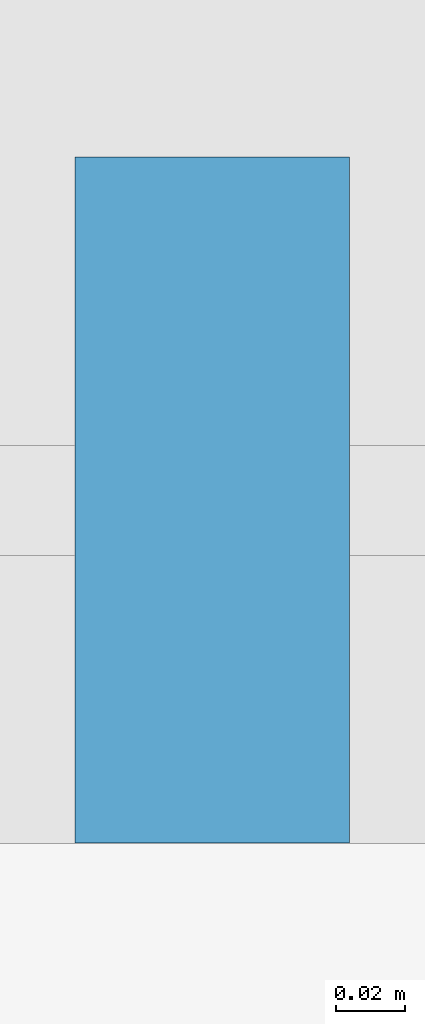
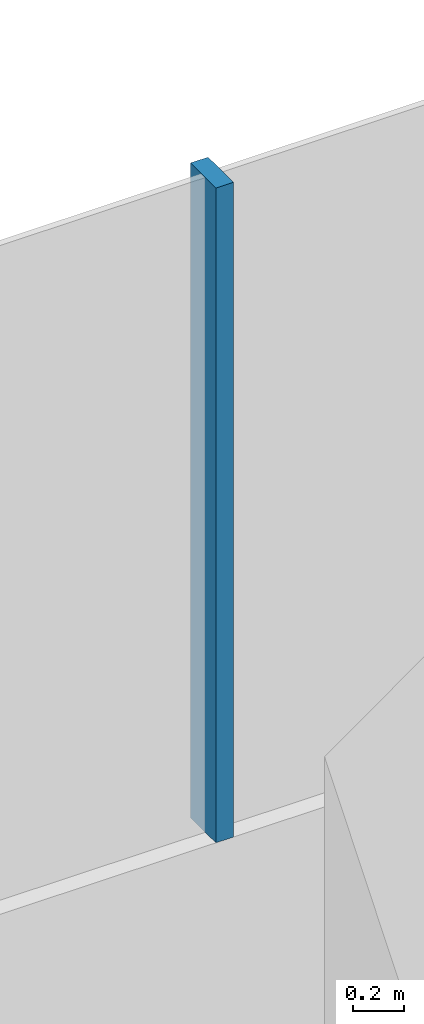
# One storey, part 16 of 38: 1 member, 1 element without a shape of its own.
"""IFC4 building model written with IfcOpenShell, lengths in metres."""

import ifcopenshell
import ifcopenshell.guid

model = None  # the IFC model being written
_history = None  # IfcOwnerHistory: only IFC2X3 demands one
_inside = {}  # id of a spatial element -> (the spatial element, [elements in it])
_under = {}  # id of a project, library or spatial element -> (it, [spatial elements below it])
_declared = {}  # id of a project -> (the project, [libraries it declares])
_typed = {}  # id of a type object -> (the type object, [elements of that type])
_made_of = {}  # id of a material, layer set ... -> (it, [elements and type objects made of it])


def new_model(schema):
    """Start an empty IFC model of exactly this schema.

    Asked for "IFC4X3", IfcOpenShell would pick the latest addendum, in which some entities
    have other attributes; the version numbers below select the first issue.
    IFC2X3 requires an IfcOwnerHistory on every rooted entity: one is made here for all.
    """
    global model, _history
    if schema == "IFC4X3":
        model = ifcopenshell.file(schema_version=(4, 3, 0, 0))
    else:
        model = ifcopenshell.file(schema=schema)
    _inside.clear()
    _under.clear()
    _declared.clear()
    _typed.clear()
    _made_of.clear()
    _history = None
    if model.schema == "IFC2X3":
        org = make("IfcOrganization", Name="unknown")
        user = make(
            "IfcPersonAndOrganization",
            ThePerson=make("IfcPerson", FamilyName="unknown"),
            TheOrganization=org,
        )
        app = make(
            "IfcApplication",
            ApplicationDeveloper=org,
            Version="unknown",
            ApplicationFullName="unknown",
            ApplicationIdentifier="unknown",
        )
        _history = make(
            "IfcOwnerHistory",
            OwningUser=user,
            OwningApplication=app,
            ChangeAction="ADDED",
            CreationDate=0,
        )
    return model


def make(cls, **values):
    """One entity of the class cls with the attributes given. An attribute that is None is left unset."""
    return model.create_entity(
        cls, **{name: value for name, value in values.items() if value is not None}
    )


def rooted(cls, **values):
    """An entity with a GlobalId (a new one), such as an element, a storey or a relation."""
    return make(cls, GlobalId=ifcopenshell.guid.new(), OwnerHistory=_history, **values)


def si_unit(unit_type, name, prefix=None):
    """IfcSIUnit, for example si_unit("LENGTHUNIT", "METRE", prefix="MILLI")."""
    return make("IfcSIUnit", UnitType=unit_type, Prefix=prefix, Name=name)


def assignment(units):
    """IfcUnitAssignment: the units of a project."""
    return None if units is None else make("IfcUnitAssignment", Units=units)


def point(xyz):
    """IfcCartesianPoint."""
    return None if xyz is None else make("IfcCartesianPoint", Coordinates=xyz)


def direction(xyz):
    """IfcDirection."""
    return None if xyz is None else make("IfcDirection", DirectionRatios=xyz)


def frame(location, z_axis=None, x_axis=None):
    """IfcAxis2Placement3D, a coordinate frame: its origin and axes. An axis left out is left unset."""
    return make(
        "IfcAxis2Placement3D",
        Location=point(location),
        Axis=direction(z_axis),
        RefDirection=direction(x_axis),
    )


def frame_2d(location, x_axis=None):
    """IfcAxis2Placement2D, a coordinate frame in the plane: its origin and x axis."""
    return make(
        "IfcAxis2Placement2D", Location=point(location), RefDirection=direction(x_axis)
    )


def origin():
    """The frame at (0, 0, 0) with its axes left unset."""
    return frame((0.0, 0.0, 0.0))


def origin_2d():
    """The frame at (0, 0) in the plane with its x axis left unset."""
    return frame_2d((0.0, 0.0))


def place(relative_to, where):
    """IfcLocalPlacement: puts the frame where relative to a parent placement (None: the world)."""
    return make(
        "IfcLocalPlacement", PlacementRelTo=relative_to, RelativePlacement=where
    )


def context(
    kind, dimensions, precision=None, world=None, true_north=None, identifier=None
):
    """IfcGeometricRepresentationContext, for example the 3D "Model" context."""
    return make(
        "IfcGeometricRepresentationContext",
        ContextIdentifier=identifier,
        ContextType=kind,
        CoordinateSpaceDimension=dimensions,
        Precision=precision,
        WorldCoordinateSystem=world,
        TrueNorth=true_north,
    )


def subcontext(parent, identifier, kind, view, scale=None):
    """IfcGeometricRepresentationSubContext, for example "Body" below "Model"."""
    return make(
        "IfcGeometricRepresentationSubContext",
        ContextIdentifier=identifier,
        ContextType=kind,
        ParentContext=parent,
        TargetScale=scale,
        TargetView=view,
    )


def project(units=None, contexts=None):
    """IfcProject with its units and contexts."""
    return rooted(
        "IfcProject",
        Name="project",
        RepresentationContexts=contexts,
        UnitsInContext=assignment(units),
    )


def spatial(cls, under=None, at=None, **own):
    """A site, building, storey or space (cls), placed at a placement, below another one or the project."""
    s = rooted(cls, ObjectPlacement=at, **own)
    if under is not None:
        _under.setdefault(under.id(), (under, []))[1].append(s)
    return s


def profile(cls, at=None, kind="AREA", **sizes):
    """A parametric profile (cls). Its sizes go by their IFC names, for example OverallWidth=200.0."""
    return make(cls, ProfileType=kind, Position=at, **sizes)


def rectangle(**sizes):
    """IfcRectangleProfileDef."""
    return profile("IfcRectangleProfileDef", **sizes)


def extrude(swept, where, along, depth):
    """IfcExtrudedAreaSolid: the profile swept, set in the frame where, extruded along a direction by depth."""
    return make(
        "IfcExtrudedAreaSolid",
        SweptArea=swept,
        Position=where,
        ExtrudedDirection=direction(along),
        Depth=depth,
    )


def shape(context_of_items, identifier, shape_type, items):
    """IfcShapeRepresentation: the items that make up one representation, for example the "Body"."""
    return make(
        "IfcShapeRepresentation",
        ContextOfItems=context_of_items,
        RepresentationIdentifier=identifier,
        RepresentationType=shape_type,
        Items=items,
    )


def material(Name=None, Category=None):
    """IfcMaterial."""
    return make("IfcMaterial", Name=Name, Category=Category)


def layer(
    of_material, thickness, ventilated=None, Name=None, Category=None, Priority=None
):
    """IfcMaterialLayer: one layer of a wall or slab, of a material (None: an air gap)."""
    return make(
        "IfcMaterialLayer",
        Material=of_material,
        LayerThickness=thickness,
        IsVentilated=ventilated,
        Name=Name,
        Category=Category,
        Priority=Priority,
    )


def layer_set(layers, Name=None):
    """IfcMaterialLayerSet."""
    return make("IfcMaterialLayerSet", MaterialLayers=layers, LayerSetName=Name)


def material_profile(
    of_material, cross_section, Name=None, Category=None, Priority=None
):
    """IfcMaterialProfile: a cross section and its material."""
    return make(
        "IfcMaterialProfile",
        Name=Name,
        Material=of_material,
        Profile=cross_section,
        Priority=Priority,
        Category=Category,
    )


def profile_set(profiles, Name=None, composite=None):
    """IfcMaterialProfileSet."""
    return make(
        "IfcMaterialProfileSet",
        Name=Name,
        MaterialProfiles=profiles,
        CompositeProfile=composite,
    )


def made_of(thing, what):
    """Note that an element or type object is made of a material, layer set ...; save() writes the relation."""
    if what is not None:
        _made_of.setdefault(what.id(), (what, []))[1].append(thing)
    return thing


def type_object(cls, material=None, **own):
    """A type object (cls), such as IfcWallType, which elements share."""
    return made_of(rooted(cls, **own), material)


def element(
    cls,
    number,
    at=None,
    inside=None,
    cuts=None,
    type_object=None,
    material=None,
    context=None,
    identifier="Body",
    shape_type=None,
    held_by="IfcProductDefinitionShape",
    body=None,
    shapes=None,
    **own,
):
    """One element of the class cls, such as IfcWall. Its Tag is "e" and its number.

    at: its placement. inside: the storey or other place that contains it. cuts: it is an
    opening in that element (IfcRelVoidsElement). A single representation is given by context,
    identifier, shape_type and body (its items); several are given by shapes. held_by: the class
    of the entity that holds the representations. save() writes the other relations.
    """
    e = rooted(cls, Tag="e%d" % number, ObjectPlacement=at, **own)
    if body is not None:
        shapes = [shape(context, identifier, shape_type, body)]
    if shapes is not None:
        e.Representation = make(held_by, Representations=shapes)
    if inside is not None:
        _inside.setdefault(inside.id(), (inside, []))[1].append(e)
    if cuts is not None:
        rooted(
            "IfcRelVoidsElement", RelatingBuildingElement=cuts, RelatedOpeningElement=e
        )
    if type_object is not None:
        _typed.setdefault(type_object.id(), (type_object, []))[1].append(e)
    return made_of(e, material)


def aggregate(whole, parts):
    """IfcRelAggregates: a whole, such as a stair, and the parts it consists of."""
    return rooted("IfcRelAggregates", RelatingObject=whole, RelatedObjects=parts)


def save(model, path):
    """Write the relations noted so far, then the file.

    IfcRelAggregates (storeys below a building ...), IfcRelContainedInSpatialStructure (elements
    in a storey), IfcRelDefinesByType, IfcRelAssociatesMaterial and IfcRelDeclares: one each for
    every whole, place, type object, material and project.
    """
    for whole, parts in _under.values():
        aggregate(whole, parts)
    for where, things in _inside.values():
        rooted(
            "IfcRelContainedInSpatialStructure",
            RelatedElements=things,
            RelatingStructure=where,
        )
    for kind, things in _typed.values():
        rooted("IfcRelDefinesByType", RelatedObjects=things, RelatingType=kind)
    for what, things in _made_of.values():
        rooted("IfcRelAssociatesMaterial", RelatedObjects=things, RelatingMaterial=what)
    for by, libraries in _declared.values():
        rooted("IfcRelDeclares", RelatingContext=by, RelatedDefinitions=libraries)
    model.write(path)


model = new_model("IFC4")

# Units and contexts
model_context = context("Model", 3, precision=1e-05, world=origin(), true_north=direction((0.0, 1.0)))
body_context = subcontext(model_context, "Body", "Model", "MODEL_VIEW")
ifc_project = project(units=[si_unit("LENGTHUNIT", "METRE"), si_unit("AREAUNIT", "SQUARE_METRE"), si_unit("VOLUMEUNIT", "CUBIC_METRE"), si_unit("PLANEANGLEUNIT", "RADIAN"), si_unit("MASSUNIT", "GRAM", prefix="KILO")], contexts=[model_context])

# Site, building, storey
site_placement = place(None, origin())
site = spatial("IfcSite", under=ifc_project, at=site_placement, CompositionType="ELEMENT")
building_placement = place(site_placement, origin())
building = spatial("IfcBuilding", under=site, at=building_placement, Name="Tamarind Cross Interchange Tower", CompositionType="ELEMENT")
storey_placement = place(building_placement, frame((0.0, 0.0, 20.0)))
storey = spatial("IfcBuildingStorey", under=building, at=storey_placement, Name="L03", CompositionType="ELEMENT", Elevation=20.0)

# Curtain wall, member
ifc_material = material(Name="Aluminium 6063-T6", Category="aluminium")
ifc_layer = layer(ifc_material, 0.199951171875)
ifc_layer_set = layer_set([ifc_layer], Name="Aluminium 6063-T6")
curtain_wall_type = type_object("IfcCurtainWallType", Name="Podium shopfront and station curtain wall", PredefinedType="NOTDEFINED", material=ifc_layer_set)
curtain_wall_placement = place(storey_placement, origin())
curtain_wall = element("IfcCurtainWall", 1, at=curtain_wall_placement, inside=storey, type_object=curtain_wall_type, Name="CWS-L03-02", PredefinedType="NOTDEFINED")
ifc_material_profile = material_profile(ifc_material, rectangle(XDim=0.080078125, YDim=0.199951171875, at=origin_2d()), Name="Mullion CW3")
ifc_profile_set = profile_set([ifc_material_profile], Name="Aluminium 6063-T6")
member_type = type_object("IfcMemberType", Name="Mullion CW3", PredefinedType="MULLION", material=ifc_profile_set)
member_placement = place(storey_placement, frame((0.0, 56.800048828125, 1.39990234375), z_axis=(0.0, 0.0, 1.0), x_axis=(-1.0, 0.0, 0.0)))
member = element("IfcMember", 2, at=member_placement, type_object=member_type, Name="CWM-L03-02-13", PredefinedType="MULLION", context=body_context, shape_type="SweptSolid", body=[
    extrude(rectangle(XDim=0.080078125, YDim=0.199951171875, at=origin_2d()), origin(), (0.0, 0.0, 1.0), 3.150146484375),
])
aggregate(curtain_wall, [member])

save(model, "model.ifc")
